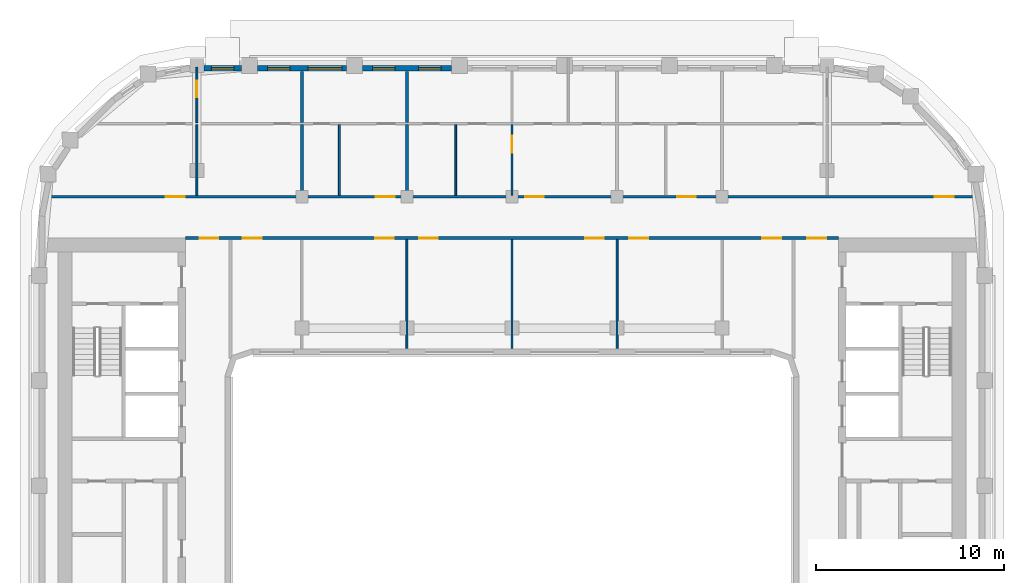
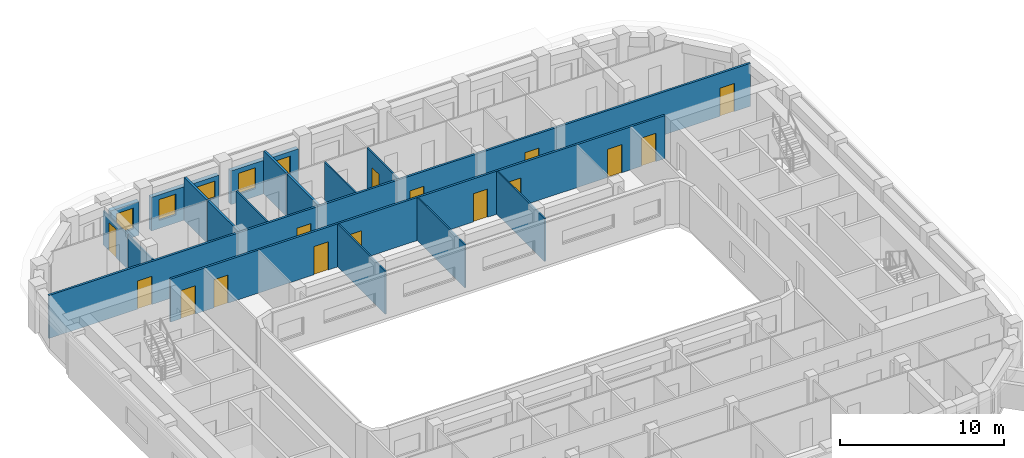
# One storey, part 7 of 21: 17 walls, 15 doors, 5 windows, 20 openings.
"""IFC4 building model written with IfcOpenShell, lengths in metres."""

from ifc_helpers import new_model, si_unit, direction, frame, frame_2d, origin, place, context, subcontext, project, spatial, rectangle, extrude, material, layer, layer_set, type_object, element, fill, save


model = new_model("IFC4")

# Units and contexts
model_context = context("Model", 3, precision=1e-05, world=origin(), true_north=direction((0.0, 1.0)))
body_context = subcontext(model_context, "Body", "Model", "MODEL_VIEW")
ifc_project = project(units=[si_unit("LENGTHUNIT", "METRE"), si_unit("AREAUNIT", "SQUARE_METRE"), si_unit("VOLUMEUNIT", "CUBIC_METRE"), si_unit("PLANEANGLEUNIT", "RADIAN"), si_unit("MASSUNIT", "GRAM", prefix="KILO")], contexts=[model_context])

# Site, building, storey
site_placement = place(None, origin())
site = spatial("IfcSite", under=ifc_project, at=site_placement, CompositionType="ELEMENT")
building_placement = place(site_placement, origin())
building = spatial("IfcBuilding", under=site, at=building_placement, Name="Kiln Ring Residences", CompositionType="ELEMENT")
storey_placement = place(building_placement, frame((0.0, 0.0, 223.89990234375)))
storey = spatial("IfcBuildingStorey", under=building, at=storey_placement, Name="L58", CompositionType="ELEMENT", Elevation=223.89990234375)

# Wall, openings, windows
ifc_material_1 = material(Name="Brick masonry, dark clay brick", Category="masonry")
ifc_layer_1 = layer(ifc_material_1, 0.300048828125)
ifc_layer_set_1 = layer_set([ifc_layer_1], Name="EW-300 BRICK WALL")
wall_type_1 = type_object("IfcWallType", Name="EW-300 BRICK WALL", PredefinedType="SOLIDWALL", material=ifc_layer_set_1)
wall_1_placement = place(storey_placement, frame((-3.22509765625, 22.25, 0.0), z_axis=(0.0, 0.0, 1.0), x_axis=(-1.0, 0.0, 0.0)))
wall_1 = element("IfcWall", 1, at=wall_1_placement, inside=storey, type_object=wall_type_1, Name="Facade wall L58 31", PredefinedType="SOLIDWALL", context=body_context, shape_type="SweptSolid", body=[
    extrude(rectangle(XDim=4.75, YDim=0.300048828125, at=frame_2d((2.375, 0.0))), origin(), (0.0, 0.0, 1.0), 2.5),
])
opening_1_placement = place(wall_1_placement, frame((0.550048828125, 0.0, 0.60009765625)))
opening_1 = element("IfcOpeningElement", 2, at=opening_1_placement, cuts=wall_1, Name="Opening W1", PredefinedType="OPENING", context=body_context, shape_type="SweptSolid", body=[
    extrude(rectangle(XDim=1.199951171875, YDim=1.550048828125, at=frame_2d((0.60009765625, 0.77490234375))), frame((0.0, 0.159912109375, 0.0), z_axis=(0.0, -1.0, 0.0), x_axis=(1.0, 0.0, 0.0)), (0.0, 0.0, 1.0), 0.320068359375),
])
opening_2_placement = place(wall_1_placement, frame((3.0, 0.0, 0.60009765625)))
opening_2 = element("IfcOpeningElement", 3, at=opening_2_placement, cuts=wall_1, Name="Opening W1", PredefinedType="OPENING", context=body_context, shape_type="SweptSolid", body=[
    extrude(rectangle(XDim=1.199951171875, YDim=1.550048828125, at=frame_2d((0.60009765625, 0.77490234375))), frame((0.0, 0.159912109375, 0.0), z_axis=(0.0, -1.0, 0.0), x_axis=(1.0, 0.0, 0.0)), (0.0, 0.0, 1.0), 0.320068359375),
])
ifc_material_2 = material(Name="Aluminium frame with double glazing", Category="aluminium")
window_type_1 = type_object("IfcWindowType", Name="WINDOW 1200 x 1550", PartitioningType="SINGLE_PANEL", PredefinedType="WINDOW", material=ifc_material_2)
window_1_placement = place(opening_1_placement, origin())
window_1 = element("IfcWindow", 4, at=window_1_placement, inside=storey, type_object=window_type_1, Name="Window L58 27", OverallHeight=1.550048828125, OverallWidth=1.199951171875, PartitioningType="SINGLE_PANEL", PredefinedType="WINDOW", context=body_context, shape_type="SweptSolid", body=[
    extrude(rectangle(XDim=1.199951171875, YDim=1.550048828125, at=frame_2d((0.60009765625, 0.77490234375))), frame((0.0, 0.030029296875, 0.0), z_axis=(0.0, -1.0, 0.0), x_axis=(1.0, 0.0, 0.0)), (0.0, 0.0, 1.0), 0.06005859375),
])
fill(opening_1, window_1)
window_2_placement = place(opening_2_placement, origin())
window_2 = element("IfcWindow", 5, at=window_2_placement, inside=storey, type_object=window_type_1, Name="Window L58 28", OverallHeight=1.550048828125, OverallWidth=1.199951171875, PartitioningType="SINGLE_PANEL", PredefinedType="WINDOW", context=body_context, shape_type="SweptSolid", body=[
    extrude(rectangle(XDim=1.199951171875, YDim=1.550048828125, at=frame_2d((0.60009765625, 0.77490234375))), frame((0.0, 0.030029296875, 0.0), z_axis=(0.0, -1.0, 0.0), x_axis=(1.0, 0.0, 0.0)), (0.0, 0.0, 1.0), 0.06005859375),
])
fill(opening_2, window_2)

wall_2_placement = place(storey_placement, frame((-8.824951171875, 22.25, 0.0), z_axis=(0.0, 0.0, 1.0), x_axis=(-1.0, 0.0, 0.0)))
wall_2 = element("IfcWall", 6, at=wall_2_placement, inside=storey, type_object=wall_type_1, Name="Facade wall L58 32", PredefinedType="SOLIDWALL", context=body_context, shape_type="SweptSolid", body=[
    extrude(rectangle(XDim=4.75, YDim=0.300048828125, at=frame_2d((2.375, 0.0))), origin(), (0.0, 0.0, 1.0), 2.5),
])
opening_3_placement = place(wall_2_placement, frame((0.25, 0.0, 0.89990234375)))
opening_3 = element("IfcOpeningElement", 7, at=opening_3_placement, cuts=wall_2, Name="Opening W2", PredefinedType="OPENING", context=body_context, shape_type="SweptSolid", body=[
    extrude(rectangle(XDim=1.800048828125, YDim=1.25, at=frame_2d((0.89990234375, 0.625))), frame((0.0, 0.159912109375, 0.0), z_axis=(0.0, -1.0, 0.0), x_axis=(1.0, 0.0, 0.0)), (0.0, 0.0, 1.0), 0.320068359375),
])
opening_4_placement = place(wall_2_placement, frame((3.0, 0.0, 0.60009765625)))
opening_4 = element("IfcOpeningElement", 8, at=opening_4_placement, cuts=wall_2, Name="Opening W1", PredefinedType="OPENING", context=body_context, shape_type="SweptSolid", body=[
    extrude(rectangle(XDim=1.199951171875, YDim=1.550048828125, at=frame_2d((0.60009765625, 0.77490234375))), frame((0.0, 0.159912109375, 0.0), z_axis=(0.0, -1.0, 0.0), x_axis=(1.0, 0.0, 0.0)), (0.0, 0.0, 1.0), 0.320068359375),
])
window_3_placement = place(opening_4_placement, origin())
window_3 = element("IfcWindow", 9, at=window_3_placement, inside=storey, type_object=window_type_1, Name="Window L58 30", OverallHeight=1.550048828125, OverallWidth=1.199951171875, PartitioningType="SINGLE_PANEL", PredefinedType="WINDOW", context=body_context, shape_type="SweptSolid", body=[
    extrude(rectangle(XDim=1.199951171875, YDim=1.550048828125, at=frame_2d((0.60009765625, 0.77490234375))), frame((0.0, 0.030029296875, 0.0), z_axis=(0.0, -1.0, 0.0), x_axis=(1.0, 0.0, 0.0)), (0.0, 0.0, 1.0), 0.06005859375),
])
fill(opening_4, window_3)
ifc_material_3 = material(Name="Aluminium frame with double glazing", Category="aluminium")
window_type_2 = type_object("IfcWindowType", Name="WINDOW 1800 x 1250", PartitioningType="SINGLE_PANEL", PredefinedType="WINDOW", material=ifc_material_3)
window_4_placement = place(opening_3_placement, origin())
window_4 = element("IfcWindow", 10, at=window_4_placement, inside=storey, type_object=window_type_2, Name="Window L58 29", OverallHeight=1.25, OverallWidth=1.800048828125, PartitioningType="SINGLE_PANEL", PredefinedType="WINDOW", context=body_context, shape_type="SweptSolid", body=[
    extrude(rectangle(XDim=1.800048828125, YDim=1.25, at=frame_2d((0.89990234375, 0.625))), frame((0.0, 0.030029296875, 0.0), z_axis=(0.0, -1.0, 0.0), x_axis=(1.0, 0.0, 0.0)), (0.0, 0.0, 1.0), 0.06005859375),
])
fill(opening_3, window_4)

# Wall, opening, window
wall_3_placement = place(storey_placement, frame((-14.425048828125, 22.25, 0.0), z_axis=(0.0, 0.0, 1.0), x_axis=(-1.0, 0.0, 0.0)))
wall_3 = element("IfcWall", 11, at=wall_3_placement, inside=storey, type_object=wall_type_1, Name="Facade wall L58 33", PredefinedType="SOLIDWALL", context=body_context, shape_type="SweptSolid", body=[
    extrude(rectangle(XDim=2.0, YDim=0.300048828125, at=frame_2d((1.0, 0.0))), origin(), (0.0, 0.0, 1.0), 2.5),
])
opening_5_placement = place(wall_3_placement, frame((0.39990234375, 0.0, 0.60009765625)))
opening_5 = element("IfcOpeningElement", 12, at=opening_5_placement, cuts=wall_3, Name="Opening W1", PredefinedType="OPENING", context=body_context, shape_type="SweptSolid", body=[
    extrude(rectangle(XDim=1.199951171875, YDim=1.550048828125, at=frame_2d((0.60009765625, 0.77490234375))), frame((0.0, 0.159912109375, 0.0), z_axis=(0.0, -1.0, 0.0), x_axis=(1.0, 0.0, 0.0)), (0.0, 0.0, 1.0), 0.320068359375),
])
window_5_placement = place(opening_5_placement, origin())
window_5 = element("IfcWindow", 13, at=window_5_placement, inside=storey, type_object=window_type_1, Name="Window L58 31", OverallHeight=1.550048828125, OverallWidth=1.199951171875, PartitioningType="SINGLE_PANEL", PredefinedType="WINDOW", context=body_context, shape_type="SweptSolid", body=[
    extrude(rectangle(XDim=1.199951171875, YDim=1.550048828125, at=frame_2d((0.60009765625, 0.77490234375))), frame((0.0, 0.030029296875, 0.0), z_axis=(0.0, -1.0, 0.0), x_axis=(1.0, 0.0, 0.0)), (0.0, 0.0, 1.0), 0.06005859375),
])
fill(opening_5, window_5)

# Wall
ifc_material_4 = material(Name="Gypsum board on steel studs", Category="steel")
ifc_layer_2 = layer(ifc_material_4, 0.10009765625)
ifc_layer_set_2 = layer_set([ifc_layer_2], Name="PARTITION-100")
wall_type_2 = type_object("IfcWallType", Name="PARTITION-100", PredefinedType="PARTITIONING", material=ifc_layer_set_2)
wall_4_placement = place(storey_placement, frame((-16.800048828125, 15.47509765625, 0.0), z_axis=(0.0, 0.0, 1.0), x_axis=(0.0, 1.0, 0.0)))
element("IfcWall", 14, at=wall_4_placement, inside=storey, type_object=wall_type_2, Name="Partition 009", PredefinedType="PARTITIONING", context=body_context, shape_type="SweptSolid", body=[
    extrude(rectangle(XDim=3.77490234375, YDim=0.10009765625, at=frame_2d((1.887451171875, 0.0))), origin(), (0.0, 0.0, 1.0), 2.550048828125),
])

# Wall, opening, door
wall_5_placement = place(storey_placement, frame((-16.800048828125, 19.35009765625, 0.0), z_axis=(0.0, 0.0, 1.0), x_axis=(0.0, 1.0, 0.0)))
wall_5 = element("IfcWall", 15, at=wall_5_placement, inside=storey, type_object=wall_type_2, Name="Partition 010", PredefinedType="PARTITIONING", context=body_context, shape_type="SweptSolid", body=[
    extrude(rectangle(XDim=2.9599609375, YDim=0.10009765625, at=frame_2d((1.47998046875, 0.0))), origin(), (0.0, 0.0, 1.0), 2.550048828125),
])
opening_6_placement = place(wall_5_placement, frame((1.35009765625, 0.0, 0.0)))
opening_6 = element("IfcOpeningElement", 16, at=opening_6_placement, cuts=wall_5, Name="Opening L58-D014", PredefinedType="OPENING", context=body_context, shape_type="SweptSolid", body=[
    extrude(rectangle(XDim=0.89990234375, YDim=2.10009765625, at=frame_2d((0.449951171875, 1.050048828125))), frame((0.0, 0.06005859375, 0.0), z_axis=(0.0, -1.0, 0.0), x_axis=(1.0, 0.0, 0.0)), (0.0, 0.0, 1.0), 0.1201171875),
])
ifc_material_5 = material(Name="Timber door leaf", Category="wood")
door_type_1 = type_object("IfcDoorType", Name="FLAT-DOOR-900-PL", OperationType="SINGLE_SWING_LEFT", PredefinedType="DOOR", material=ifc_material_5)
door_1_placement = place(opening_6_placement, origin())
door_1 = element("IfcDoor", 17, at=door_1_placement, inside=storey, type_object=door_type_1, Name="Door L58-D014", OperationType="SINGLE_SWING_RIGHT", OverallHeight=2.10009765625, OverallWidth=0.89990234375, PredefinedType="DOOR", context=body_context, shape_type="SweptSolid", body=[
    extrude(rectangle(XDim=0.89990234375, YDim=2.10009765625, at=frame_2d((0.449951171875, 1.050048828125))), frame((0.0, 0.02490234375, 0.0), z_axis=(0.0, -1.0, 0.0), x_axis=(1.0, 0.0, 0.0)), (0.0, 0.0, 1.0), 0.050048828125),
])
fill(opening_6, door_1)

# Walls
wall_6_placement = place(storey_placement, frame((-9.199951171875, 15.47509765625, 0.0), z_axis=(0.0, 0.0, 1.0), x_axis=(0.0, 1.0, 0.0)))
element("IfcWall", 18, at=wall_6_placement, inside=storey, type_object=wall_type_2, Name="Partition 023", PredefinedType="PARTITIONING", context=body_context, shape_type="SweptSolid", body=[
    extrude(rectangle(XDim=3.77490234375, YDim=0.10009765625, at=frame_2d((1.887451171875, 0.0))), origin(), (0.0, 0.0, 1.0), 3.2001953125),
])
wall_7_placement = place(storey_placement, frame((-5.60009765625, 7.320068359375, 0.0), z_axis=(0.0, 0.0, 1.0), x_axis=(0.0, 1.0, 0.0)))
element("IfcWall", 19, at=wall_7_placement, inside=storey, type_object=wall_type_2, Name="Partition 025", PredefinedType="PARTITIONING", context=body_context, shape_type="SweptSolid", body=[
    extrude(rectangle(XDim=5.804931640625, YDim=0.10009765625, at=frame_2d((2.90234375, 0.0))), origin(), (0.0, 0.0, 1.0), 3.2001953125),
])
wall_8_placement = place(storey_placement, frame((-3.0, 15.47509765625, 0.0), z_axis=(0.0, 0.0, 1.0), x_axis=(0.0, 1.0, 0.0)))
element("IfcWall", 20, at=wall_8_placement, inside=storey, type_object=wall_type_2, Name="Partition 034", PredefinedType="PARTITIONING", context=body_context, shape_type="SweptSolid", body=[
    extrude(rectangle(XDim=3.77490234375, YDim=0.10009765625, at=frame_2d((1.887451171875, 0.0))), origin(), (0.0, 0.0, 1.0), 3.2001953125),
])
wall_9_placement = place(storey_placement, frame((0.0, 7.320068359375, 0.0), z_axis=(0.0, 0.0, 1.0), x_axis=(0.0, 1.0, 0.0)))
element("IfcWall", 21, at=wall_9_placement, inside=storey, type_object=wall_type_2, Name="Partition 035", PredefinedType="PARTITIONING", context=body_context, shape_type="SweptSolid", body=[
    extrude(rectangle(XDim=5.804931640625, YDim=0.10009765625, at=frame_2d((2.90234375, 0.0))), origin(), (0.0, 0.0, 1.0), 3.2001953125),
])

# Wall, opening, door
wall_10_placement = place(storey_placement, frame((0.0, 15.47509765625, 0.0), z_axis=(0.0, 0.0, 1.0), x_axis=(0.0, 1.0, 0.0)))
wall_10 = element("IfcWall", 22, at=wall_10_placement, inside=storey, type_object=wall_type_2, Name="Partition 036", PredefinedType="PARTITIONING", context=body_context, shape_type="SweptSolid", body=[
    extrude(rectangle(XDim=3.77490234375, YDim=0.10009765625, at=frame_2d((1.887451171875, 0.0))), origin(), (0.0, 0.0, 1.0), 3.2001953125),
])
opening_7_placement = place(wall_10_placement, frame((2.27490234375, 0.0, 0.0)))
opening_7 = element("IfcOpeningElement", 23, at=opening_7_placement, cuts=wall_10, Name="Opening L58-D019", PredefinedType="OPENING", context=body_context, shape_type="SweptSolid", body=[
    extrude(rectangle(XDim=0.89990234375, YDim=2.10009765625, at=frame_2d((0.449951171875, 1.050048828125))), frame((0.0, 0.06005859375, 0.0), z_axis=(0.0, -1.0, 0.0), x_axis=(1.0, 0.0, 0.0)), (0.0, 0.0, 1.0), 0.1201171875),
])
door_2_placement = place(opening_7_placement, origin())
door_2 = element("IfcDoor", 24, at=door_2_placement, inside=storey, type_object=door_type_1, Name="Door L58-D019", OperationType="SINGLE_SWING_LEFT", OverallHeight=2.10009765625, OverallWidth=0.89990234375, PredefinedType="DOOR", context=body_context, shape_type="SweptSolid", body=[
    extrude(rectangle(XDim=0.89990234375, YDim=2.10009765625, at=frame_2d((0.449951171875, 1.050048828125))), frame((0.0, 0.02490234375, 0.0), z_axis=(0.0, -1.0, 0.0), x_axis=(1.0, 0.0, 0.0)), (0.0, 0.0, 1.0), 0.050048828125),
])
fill(opening_7, door_2)

# Wall
wall_11_placement = place(storey_placement, frame((5.60009765625, 7.320068359375, 0.0), z_axis=(0.0, 0.0, 1.0), x_axis=(0.0, 1.0, 0.0)))
element("IfcWall", 25, at=wall_11_placement, inside=storey, type_object=wall_type_2, Name="Partition 046", PredefinedType="PARTITIONING", context=body_context, shape_type="SweptSolid", body=[
    extrude(rectangle(XDim=5.804931640625, YDim=0.10009765625, at=frame_2d((2.90234375, 0.0))), origin(), (0.0, 0.0, 1.0), 3.2001953125),
])

# Wall, openings, doors
ifc_material_6 = material(Name="Brick masonry partition", Category="masonry")
ifc_layer_3 = layer(ifc_material_6, 0.14990234375)
ifc_layer_set_3 = layer_set([ifc_layer_3], Name="PARTITION-150-ei60")
wall_type_3 = type_object("IfcWallType", Name="PARTITION-150-ei60", PredefinedType="PARTITIONING", material=ifc_layer_set_3)
wall_12_placement = place(storey_placement, frame((-17.39990234375, 13.199951171875, 0.0), z_axis=(0.0, 0.0, 1.0), x_axis=(1.0, 0.0, 0.0)))
wall_12 = element("IfcWall", 26, at=wall_12_placement, inside=storey, type_object=wall_type_3, Name="Partition 004", PredefinedType="PARTITIONING", context=body_context, shape_type="SweptSolid", body=[
    extrude(rectangle(XDim=34.7998046875, YDim=0.14990234375, at=frame_2d((17.39990234375, 0.0))), origin(), (0.0, 0.0, 1.0), 3.2001953125),
])
opening_8_placement = place(wall_12_placement, frame((0.75, 0.0, 0.0)))
opening_8 = element("IfcOpeningElement", 27, at=opening_8_placement, cuts=wall_12, Name="Opening L58-D001", PredefinedType="OPENING", context=body_context, shape_type="SweptSolid", body=[
    extrude(rectangle(XDim=1.0, YDim=2.10009765625, at=frame_2d((0.5, 1.050048828125))), frame((0.0, 0.0849609375, 0.0), z_axis=(0.0, -1.0, 0.0), x_axis=(1.0, 0.0, 0.0)), (0.0, 0.0, 1.0), 0.169921875),
])
opening_9_placement = place(wall_12_placement, frame((33.14990234375, 0.0, 0.0)))
opening_9 = element("IfcOpeningElement", 28, at=opening_9_placement, cuts=wall_12, Name="Opening L58-D002", PredefinedType="OPENING", context=body_context, shape_type="SweptSolid", body=[
    extrude(rectangle(XDim=1.0, YDim=2.10009765625, at=frame_2d((0.5, 1.050048828125))), frame((0.0, 0.0849609375, 0.0), z_axis=(0.0, -1.0, 0.0), x_axis=(1.0, 0.0, 0.0)), (0.0, 0.0, 1.0), 0.169921875),
])
opening_10_placement = place(wall_12_placement, frame((3.050048828125, 0.0, 0.0)))
opening_10 = element("IfcOpeningElement", 29, at=opening_10_placement, cuts=wall_12, Name="Opening L58-D005", PredefinedType="OPENING", context=body_context, shape_type="SweptSolid", body=[
    extrude(rectangle(XDim=1.0, YDim=2.10009765625, at=frame_2d((0.5, 1.050048828125))), frame((0.0, 0.0849609375, 0.0), z_axis=(0.0, -1.0, 0.0), x_axis=(1.0, 0.0, 0.0)), (0.0, 0.0, 1.0), 0.169921875),
])
opening_11_placement = place(wall_12_placement, frame((10.10009765625, 0.0, 0.0)))
opening_11 = element("IfcOpeningElement", 30, at=opening_11_placement, cuts=wall_12, Name="Opening L58-D006", PredefinedType="OPENING", context=body_context, shape_type="SweptSolid", body=[
    extrude(rectangle(XDim=1.0, YDim=2.10009765625, at=frame_2d((0.5, 1.050048828125))), frame((0.0, 0.0849609375, 0.0), z_axis=(0.0, -1.0, 0.0), x_axis=(1.0, 0.0, 0.0)), (0.0, 0.0, 1.0), 0.169921875),
])
opening_12_placement = place(wall_12_placement, frame((12.449951171875, 0.0, 0.0)))
opening_12 = element("IfcOpeningElement", 31, at=opening_12_placement, cuts=wall_12, Name="Opening L58-D007", PredefinedType="OPENING", context=body_context, shape_type="SweptSolid", body=[
    extrude(rectangle(XDim=1.0, YDim=2.10009765625, at=frame_2d((0.5, 1.050048828125))), frame((0.0, 0.0849609375, 0.0), z_axis=(0.0, -1.0, 0.0), x_axis=(1.0, 0.0, 0.0)), (0.0, 0.0, 1.0), 0.169921875),
])
opening_13_placement = place(wall_12_placement, frame((21.300048828125, 0.0, 0.0)))
opening_13 = element("IfcOpeningElement", 32, at=opening_13_placement, cuts=wall_12, Name="Opening L58-D008", PredefinedType="OPENING", context=body_context, shape_type="SweptSolid", body=[
    extrude(rectangle(XDim=1.0, YDim=2.10009765625, at=frame_2d((0.5, 1.050048828125))), frame((0.0, 0.0849609375, 0.0), z_axis=(0.0, -1.0, 0.0), x_axis=(1.0, 0.0, 0.0)), (0.0, 0.0, 1.0), 0.169921875),
])
opening_14_placement = place(wall_12_placement, frame((23.64990234375, 0.0, 0.0)))
opening_14 = element("IfcOpeningElement", 33, at=opening_14_placement, cuts=wall_12, Name="Opening L58-D009", PredefinedType="OPENING", context=body_context, shape_type="SweptSolid", body=[
    extrude(rectangle(XDim=1.0, YDim=2.10009765625, at=frame_2d((0.5, 1.050048828125))), frame((0.0, 0.0849609375, 0.0), z_axis=(0.0, -1.0, 0.0), x_axis=(1.0, 0.0, 0.0)), (0.0, 0.0, 1.0), 0.169921875),
])
opening_15_placement = place(wall_12_placement, frame((30.75, 0.0, 0.0)))
opening_15 = element("IfcOpeningElement", 34, at=opening_15_placement, cuts=wall_12, Name="Opening L58-D010", PredefinedType="OPENING", context=body_context, shape_type="SweptSolid", body=[
    extrude(rectangle(XDim=1.0, YDim=2.10009765625, at=frame_2d((0.5, 1.050048828125))), frame((0.0, 0.0849609375, 0.0), z_axis=(0.0, -1.0, 0.0), x_axis=(1.0, 0.0, 0.0)), (0.0, 0.0, 1.0), 0.169921875),
])
ifc_material_7 = material(Name="Steel faced fire door leaf", Category="steel")
door_type_2 = type_object("IfcDoorType", Name="FLAT-DOOR-1000-FR", OperationType="SINGLE_SWING_LEFT", PredefinedType="DOOR", material=ifc_material_7)
door_3_placement = place(opening_8_placement, origin())
door_3 = element("IfcDoor", 35, at=door_3_placement, inside=storey, type_object=door_type_2, Name="Door L58-D001", OperationType="SINGLE_SWING_RIGHT", OverallHeight=2.10009765625, OverallWidth=1.0, PredefinedType="DOOR", context=body_context, shape_type="SweptSolid", body=[
    extrude(rectangle(XDim=1.0, YDim=2.10009765625, at=frame_2d((0.5, 1.050048828125))), frame((0.0, 0.02490234375, 0.0), z_axis=(0.0, -1.0, 0.0), x_axis=(1.0, 0.0, 0.0)), (0.0, 0.0, 1.0), 0.050048828125),
])
fill(opening_8, door_3)
door_4_placement = place(opening_9_placement, origin())
door_4 = element("IfcDoor", 36, at=door_4_placement, inside=storey, type_object=door_type_2, Name="Door L58-D002", OperationType="SINGLE_SWING_LEFT", OverallHeight=2.10009765625, OverallWidth=1.0, PredefinedType="DOOR", context=body_context, shape_type="SweptSolid", body=[
    extrude(rectangle(XDim=1.0, YDim=2.10009765625, at=frame_2d((0.5, 1.050048828125))), frame((0.0, 0.02490234375, 0.0), z_axis=(0.0, -1.0, 0.0), x_axis=(1.0, 0.0, 0.0)), (0.0, 0.0, 1.0), 0.050048828125),
])
fill(opening_9, door_4)
door_5_placement = place(opening_10_placement, origin())
door_5 = element("IfcDoor", 37, at=door_5_placement, inside=storey, type_object=door_type_2, Name="Door L58-D005", OperationType="SINGLE_SWING_LEFT", OverallHeight=2.10009765625, OverallWidth=1.0, PredefinedType="DOOR", context=body_context, shape_type="SweptSolid", body=[
    extrude(rectangle(XDim=1.0, YDim=2.10009765625, at=frame_2d((0.5, 1.050048828125))), frame((0.0, 0.02490234375, 0.0), z_axis=(0.0, -1.0, 0.0), x_axis=(1.0, 0.0, 0.0)), (0.0, 0.0, 1.0), 0.050048828125),
])
fill(opening_10, door_5)
door_6_placement = place(opening_11_placement, origin())
door_6 = element("IfcDoor", 38, at=door_6_placement, inside=storey, type_object=door_type_2, Name="Door L58-D006", OperationType="SINGLE_SWING_RIGHT", OverallHeight=2.10009765625, OverallWidth=1.0, PredefinedType="DOOR", context=body_context, shape_type="SweptSolid", body=[
    extrude(rectangle(XDim=1.0, YDim=2.10009765625, at=frame_2d((0.5, 1.050048828125))), frame((0.0, 0.02490234375, 0.0), z_axis=(0.0, -1.0, 0.0), x_axis=(1.0, 0.0, 0.0)), (0.0, 0.0, 1.0), 0.050048828125),
])
fill(opening_11, door_6)
door_7_placement = place(opening_12_placement, origin())
door_7 = element("IfcDoor", 39, at=door_7_placement, inside=storey, type_object=door_type_2, Name="Door L58-D007", OperationType="SINGLE_SWING_LEFT", OverallHeight=2.10009765625, OverallWidth=1.0, PredefinedType="DOOR", context=body_context, shape_type="SweptSolid", body=[
    extrude(rectangle(XDim=1.0, YDim=2.10009765625, at=frame_2d((0.5, 1.050048828125))), frame((0.0, 0.02490234375, 0.0), z_axis=(0.0, -1.0, 0.0), x_axis=(1.0, 0.0, 0.0)), (0.0, 0.0, 1.0), 0.050048828125),
])
fill(opening_12, door_7)
door_8_placement = place(opening_13_placement, origin())
door_8 = element("IfcDoor", 40, at=door_8_placement, inside=storey, type_object=door_type_2, Name="Door L58-D008", OperationType="SINGLE_SWING_RIGHT", OverallHeight=2.10009765625, OverallWidth=1.0, PredefinedType="DOOR", context=body_context, shape_type="SweptSolid", body=[
    extrude(rectangle(XDim=1.0, YDim=2.10009765625, at=frame_2d((0.5, 1.050048828125))), frame((0.0, 0.02490234375, 0.0), z_axis=(0.0, -1.0, 0.0), x_axis=(1.0, 0.0, 0.0)), (0.0, 0.0, 1.0), 0.050048828125),
])
fill(opening_13, door_8)
door_9_placement = place(opening_14_placement, origin())
door_9 = element("IfcDoor", 41, at=door_9_placement, inside=storey, type_object=door_type_2, Name="Door L58-D009", OperationType="SINGLE_SWING_LEFT", OverallHeight=2.10009765625, OverallWidth=1.0, PredefinedType="DOOR", context=body_context, shape_type="SweptSolid", body=[
    extrude(rectangle(XDim=1.0, YDim=2.10009765625, at=frame_2d((0.5, 1.050048828125))), frame((0.0, 0.02490234375, 0.0), z_axis=(0.0, -1.0, 0.0), x_axis=(1.0, 0.0, 0.0)), (0.0, 0.0, 1.0), 0.050048828125),
])
fill(opening_14, door_9)
door_10_placement = place(opening_15_placement, origin())
door_10 = element("IfcDoor", 42, at=door_10_placement, inside=storey, type_object=door_type_2, Name="Door L58-D010", OperationType="SINGLE_SWING_RIGHT", OverallHeight=2.10009765625, OverallWidth=1.0, PredefinedType="DOOR", context=body_context, shape_type="SweptSolid", body=[
    extrude(rectangle(XDim=1.0, YDim=2.10009765625, at=frame_2d((0.5, 1.050048828125))), frame((0.0, 0.02490234375, 0.0), z_axis=(0.0, -1.0, 0.0), x_axis=(1.0, 0.0, 0.0)), (0.0, 0.0, 1.0), 0.050048828125),
])
fill(opening_15, door_10)

wall_13_placement = place(storey_placement, frame((-24.683837890625, 15.39990234375, 0.0), z_axis=(0.0, 0.0, 1.0), x_axis=(1.0, 0.0, 0.0)))
wall_13 = element("IfcWall", 43, at=wall_13_placement, inside=storey, type_object=wall_type_3, Name="Partition 005", PredefinedType="PARTITIONING", context=body_context, shape_type="SweptSolid", body=[
    extrude(rectangle(XDim=49.36767578125, YDim=0.14990234375, at=frame_2d((24.683837890625, 0.0))), origin(), (0.0, 0.0, 1.0), 3.2001953125),
])
opening_16_placement = place(wall_13_placement, frame((6.23388671875, 0.0, 0.0)))
opening_16 = element("IfcOpeningElement", 44, at=opening_16_placement, cuts=wall_13, Name="Opening L58-D011", PredefinedType="OPENING", context=body_context, shape_type="SweptSolid", body=[
    extrude(rectangle(XDim=1.0, YDim=2.10009765625, at=frame_2d((0.5, 1.050048828125))), frame((0.0, 0.0849609375, 0.0), z_axis=(0.0, -1.0, 0.0), x_axis=(1.0, 0.0, 0.0)), (0.0, 0.0, 1.0), 0.169921875),
])
opening_17_placement = place(wall_13_placement, frame((17.433837890625, 0.0, 0.0)))
opening_17 = element("IfcOpeningElement", 45, at=opening_17_placement, cuts=wall_13, Name="Opening L58-D015", PredefinedType="OPENING", context=body_context, shape_type="SweptSolid", body=[
    extrude(rectangle(XDim=1.0, YDim=2.10009765625, at=frame_2d((0.5, 1.050048828125))), frame((0.0, 0.0849609375, 0.0), z_axis=(0.0, -1.0, 0.0), x_axis=(1.0, 0.0, 0.0)), (0.0, 0.0, 1.0), 0.169921875),
])
opening_18_placement = place(wall_13_placement, frame((25.3837890625, 0.0, 0.0)))
opening_18 = element("IfcOpeningElement", 46, at=opening_18_placement, cuts=wall_13, Name="Opening L58-D018", PredefinedType="OPENING", context=body_context, shape_type="SweptSolid", body=[
    extrude(rectangle(XDim=1.0, YDim=2.10009765625, at=frame_2d((0.5, 1.050048828125))), frame((0.0, 0.0849609375, 0.0), z_axis=(0.0, -1.0, 0.0), x_axis=(1.0, 0.0, 0.0)), (0.0, 0.0, 1.0), 0.169921875),
])
opening_19_placement = place(wall_13_placement, frame((33.48388671875, 0.0, 0.0)))
opening_19 = element("IfcOpeningElement", 47, at=opening_19_placement, cuts=wall_13, Name="Opening L58-D024", PredefinedType="OPENING", context=body_context, shape_type="SweptSolid", body=[
    extrude(rectangle(XDim=1.0, YDim=2.10009765625, at=frame_2d((0.5, 1.050048828125))), frame((0.0, 0.0849609375, 0.0), z_axis=(0.0, -1.0, 0.0), x_axis=(1.0, 0.0, 0.0)), (0.0, 0.0, 1.0), 0.169921875),
])
opening_20_placement = place(wall_13_placement, frame((47.224853515625, 0.0, 0.0)))
opening_20 = element("IfcOpeningElement", 48, at=opening_20_placement, cuts=wall_13, Name="Opening L58-D027", PredefinedType="OPENING", context=body_context, shape_type="SweptSolid", body=[
    extrude(rectangle(XDim=1.0, YDim=2.10009765625, at=frame_2d((0.5, 1.050048828125))), frame((0.0, 0.0849609375, 0.0), z_axis=(0.0, -1.0, 0.0), x_axis=(1.0, 0.0, 0.0)), (0.0, 0.0, 1.0), 0.169921875),
])
door_11_placement = place(opening_16_placement, origin())
door_11 = element("IfcDoor", 49, at=door_11_placement, inside=storey, type_object=door_type_2, Name="Door L58-D011", OperationType="SINGLE_SWING_LEFT", OverallHeight=2.10009765625, OverallWidth=1.0, PredefinedType="DOOR", context=body_context, shape_type="SweptSolid", body=[
    extrude(rectangle(XDim=1.0, YDim=2.10009765625, at=frame_2d((0.5, 1.050048828125))), frame((0.0, 0.02490234375, 0.0), z_axis=(0.0, -1.0, 0.0), x_axis=(1.0, 0.0, 0.0)), (0.0, 0.0, 1.0), 0.050048828125),
])
fill(opening_16, door_11)
door_12_placement = place(opening_17_placement, origin())
door_12 = element("IfcDoor", 50, at=door_12_placement, inside=storey, type_object=door_type_2, Name="Door L58-D015", OperationType="SINGLE_SWING_LEFT", OverallHeight=2.10009765625, OverallWidth=1.0, PredefinedType="DOOR", context=body_context, shape_type="SweptSolid", body=[
    extrude(rectangle(XDim=1.0, YDim=2.10009765625, at=frame_2d((0.5, 1.050048828125))), frame((0.0, 0.02490234375, 0.0), z_axis=(0.0, -1.0, 0.0), x_axis=(1.0, 0.0, 0.0)), (0.0, 0.0, 1.0), 0.050048828125),
])
fill(opening_17, door_12)
door_13_placement = place(opening_18_placement, origin())
door_13 = element("IfcDoor", 51, at=door_13_placement, inside=storey, type_object=door_type_2, Name="Door L58-D018", OperationType="SINGLE_SWING_RIGHT", OverallHeight=2.10009765625, OverallWidth=1.0, PredefinedType="DOOR", context=body_context, shape_type="SweptSolid", body=[
    extrude(rectangle(XDim=1.0, YDim=2.10009765625, at=frame_2d((0.5, 1.050048828125))), frame((0.0, 0.02490234375, 0.0), z_axis=(0.0, -1.0, 0.0), x_axis=(1.0, 0.0, 0.0)), (0.0, 0.0, 1.0), 0.050048828125),
])
fill(opening_18, door_13)
door_14_placement = place(opening_19_placement, origin())
door_14 = element("IfcDoor", 52, at=door_14_placement, inside=storey, type_object=door_type_2, Name="Door L58-D024", OperationType="SINGLE_SWING_RIGHT", OverallHeight=2.10009765625, OverallWidth=1.0, PredefinedType="DOOR", context=body_context, shape_type="SweptSolid", body=[
    extrude(rectangle(XDim=1.0, YDim=2.10009765625, at=frame_2d((0.5, 1.050048828125))), frame((0.0, 0.02490234375, 0.0), z_axis=(0.0, -1.0, 0.0), x_axis=(1.0, 0.0, 0.0)), (0.0, 0.0, 1.0), 0.050048828125),
])
fill(opening_19, door_14)
door_15_placement = place(opening_20_placement, origin())
door_15 = element("IfcDoor", 53, at=door_15_placement, inside=storey, type_object=door_type_2, Name="Door L58-D027", OperationType="SINGLE_SWING_LEFT", OverallHeight=2.10009765625, OverallWidth=1.0, PredefinedType="DOOR", context=body_context, shape_type="SweptSolid", body=[
    extrude(rectangle(XDim=1.0, YDim=2.10009765625, at=frame_2d((0.5, 1.050048828125))), frame((0.0, 0.02490234375, 0.0), z_axis=(0.0, -1.0, 0.0), x_axis=(1.0, 0.0, 0.0)), (0.0, 0.0, 1.0), 0.050048828125),
])
fill(opening_20, door_15)

# Walls
wall_14_placement = place(storey_placement, frame((-11.199951171875, 15.47509765625, 0.0), z_axis=(0.0, 0.0, 1.0), x_axis=(0.0, 1.0, 0.0)))
element("IfcWall", 54, at=wall_14_placement, inside=storey, type_object=wall_type_3, Name="Partition 021", PredefinedType="PARTITIONING", context=body_context, shape_type="SweptSolid", body=[
    extrude(rectangle(XDim=3.77490234375, YDim=0.14990234375, at=frame_2d((1.887451171875, 0.0))), origin(), (0.0, 0.0, 1.0), 3.2001953125),
])
wall_15_placement = place(storey_placement, frame((-11.199951171875, 19.35009765625, 0.0), z_axis=(0.0, 0.0, 1.0), x_axis=(0.0, 1.0, 0.0)))
element("IfcWall", 55, at=wall_15_placement, inside=storey, type_object=wall_type_3, Name="Partition 022", PredefinedType="PARTITIONING", context=body_context, shape_type="SweptSolid", body=[
    extrude(rectangle(XDim=2.72998046875, YDim=0.14990234375, at=frame_2d((1.364990234375, 0.0))), origin(), (0.0, 0.0, 1.0), 3.2001953125),
])
wall_16_placement = place(storey_placement, frame((-5.60009765625, 15.47509765625, 0.0), z_axis=(0.0, 0.0, 1.0), x_axis=(0.0, 1.0, 0.0)))
element("IfcWall", 56, at=wall_16_placement, inside=storey, type_object=wall_type_3, Name="Partition 030", PredefinedType="PARTITIONING", context=body_context, shape_type="SweptSolid", body=[
    extrude(rectangle(XDim=3.77490234375, YDim=0.14990234375, at=frame_2d((1.887451171875, 0.0))), origin(), (0.0, 0.0, 1.0), 3.2001953125),
])
wall_17_placement = place(storey_placement, frame((-5.60009765625, 19.35009765625, 0.0), z_axis=(0.0, 0.0, 1.0), x_axis=(0.0, 1.0, 0.0)))
element("IfcWall", 57, at=wall_17_placement, inside=storey, type_object=wall_type_3, Name="Partition 031", PredefinedType="PARTITIONING", context=body_context, shape_type="SweptSolid", body=[
    extrude(rectangle(XDim=2.72998046875, YDim=0.14990234375, at=frame_2d((1.364990234375, 0.0))), origin(), (0.0, 0.0, 1.0), 3.2001953125),
])

save(model, "model.ifc")
